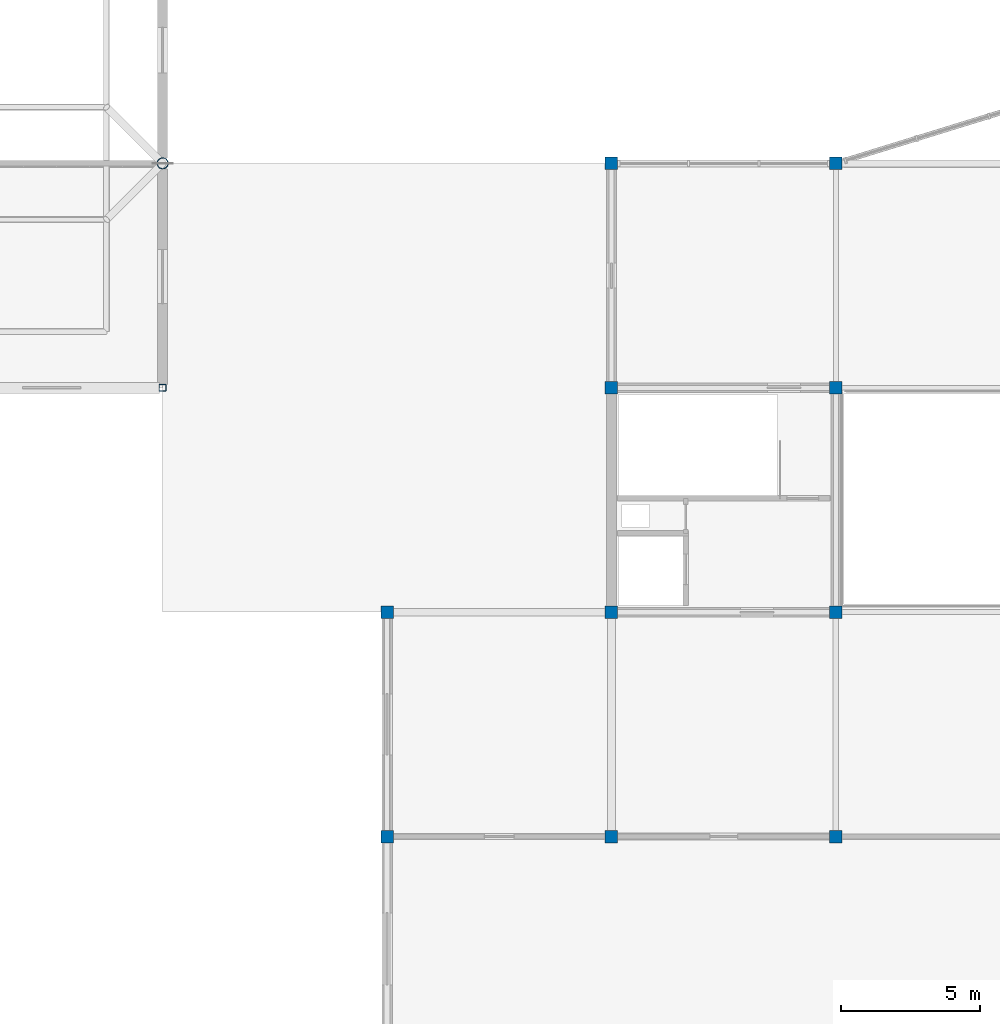
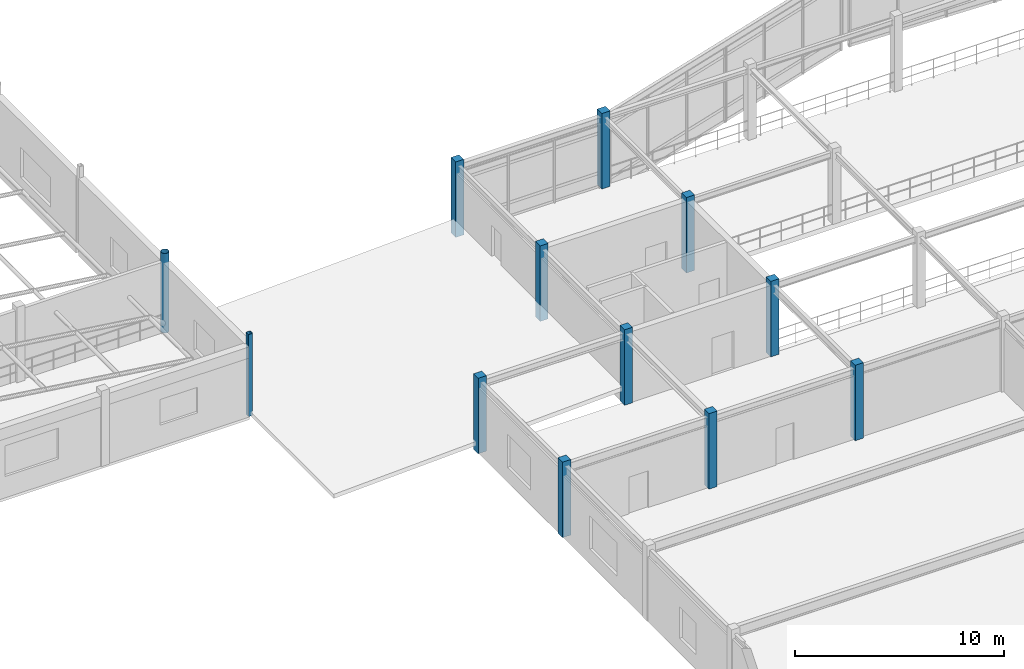
# One storey, part 3 of 89: 12 columns.
"""IFC4 building model written with IfcOpenShell, lengths in metres."""

from ifc_helpers import new_model, si_unit, direction, frame, origin, origin_2d, place, context, subcontext, project, spatial, rectangle, hollow_rectangle, hollow_circle, extrude, material, material_profile, profile_set, type_object, element, save


model = new_model("IFC4")

# Units and contexts
model_context = context("Model", 3, precision=1e-05, world=origin(), true_north=direction((0.0, 1.0)))
body_context = subcontext(model_context, "Body", "Model", "MODEL_VIEW")
ifc_project = project(units=[si_unit("LENGTHUNIT", "METRE"), si_unit("AREAUNIT", "SQUARE_METRE"), si_unit("VOLUMEUNIT", "CUBIC_METRE"), si_unit("PLANEANGLEUNIT", "RADIAN"), si_unit("MASSUNIT", "GRAM", prefix="KILO")], contexts=[model_context])

# Site, building, storey
site_placement = place(None, origin())
site = spatial("IfcSite", under=ifc_project, at=site_placement, CompositionType="ELEMENT")
building_placement = place(site_placement, origin())
building = spatial("IfcBuilding", under=site, at=building_placement, Name="Vaudrelin Polytechnic", CompositionType="ELEMENT")
storey_placement = place(building_placement, frame((0.0, 0.0, 9.68994140625)))
storey = spatial("IfcBuildingStorey", under=building, at=storey_placement, Name="L02", CompositionType="ELEMENT", Elevation=9.68994140625)

# Columns
ifc_material_1 = material(Name="Steel CSA G40.21 350W", Category="steel")
ifc_material_profile_1 = material_profile(ifc_material_1, hollow_rectangle(XDim=0.25390625, YDim=0.25390625, WallThickness=0.0126953125, InnerFilletRadius=0.0126953125, OuterFilletRadius=0.025390625, at=origin_2d()), Name="HSS254x254x12.7")
ifc_profile_set_1 = profile_set([ifc_material_profile_1], Name="Steel CSA G40.21 350W")
column_type_1 = type_object("IfcColumnType", Name="COL-C-HSS254", PredefinedType="COLUMN", material=ifc_profile_set_1)
column_1_placement = place(storey_placement, frame((32.39990234375, 40.5, 0.0), z_axis=(0.0, 0.0, 1.0), x_axis=(1.0, 0.0, 0.0)))
element("IfcColumn", 1, at=column_1_placement, inside=storey, type_object=column_type_1, Name="Workshop roof perimeter post 4-5", PredefinedType="COLUMN", context=body_context, shape_type="SweptSolid", body=[
    extrude(hollow_rectangle(XDim=0.25390625, YDim=0.25390625, WallThickness=0.0126953125, InnerFilletRadius=0.0126953125, OuterFilletRadius=0.025390625, at=origin_2d()), origin(), (0.0, 0.0, 1.0), 4.800048828125),
])
ifc_material_2 = material(Name="Concrete 40 MPa", Category="concrete")
ifc_material_profile_2 = material_profile(ifc_material_2, rectangle(XDim=0.449951171875, YDim=0.449951171875, at=origin_2d()), Name="RC450x450")
ifc_profile_set_2 = profile_set([ifc_material_profile_2], Name="Concrete 40 MPa")
column_type_2 = type_object("IfcColumnType", Name="COL-C-RC450", PredefinedType="COLUMN", material=ifc_profile_set_2)
for number, where, z_axis, x_axis, name in (
    (2, (40.5, 24.300048828125, 0.0), (0.0, 0.0, 1.0), (1.0, 0.0, 0.0), "Column L02 6-4"),
    (3, (40.5, 32.39990234375, 0.0), (0.0, 0.0, 1.0), (1.0, 0.0, 0.0), "Column L02 6-5"),
    (4, (48.60009765625, 24.300048828125, 0.0), (0.0, 0.0, 1.0), (1.0, 0.0, 0.0), "Column L02 7-4"),
    (5, (48.60009765625, 32.39990234375, 0.0), (0.0, 0.0, 1.0), (1.0, 0.0, 0.0), "Column L02 7-5"),
    (6, (48.60009765625, 40.5, 0.0), (0.0, 0.0, 1.0), (1.0, 0.0, 0.0), "Column L02 7-6"),
    (7, (48.60009765625, 48.60009765625, 0.0), (0.0, 0.0, 1.0), (1.0, 0.0, 0.0), "Column L02 7-7"),
    (8, (56.699951171875, 24.300048828125, 0.0), (0.0, 0.0, 1.0), (1.0, 0.0, 0.0), "Column L02 8-4"),
    (9, (56.699951171875, 32.39990234375, 0.0), (0.0, 0.0, 1.0), (1.0, 0.0, 0.0), "Column L02 8-5"),
    (10, (56.699951171875, 40.5, 0.0), (0.0, 0.0, 1.0), (1.0, 0.0, 0.0), "Column L02 8-6"),
    (11, (56.699951171875, 48.60009765625, 0.0), (0.0, 0.0, 1.0), (1.0, 0.0, 0.0), "Column L02 8-7"),
):
    element("IfcColumn", number, at=place(storey_placement, frame(where, z_axis=z_axis, x_axis=x_axis)), inside=storey, type_object=column_type_2, Name=name, PredefinedType="COLUMN", context=body_context, shape_type="SweptSolid", body=[
        extrude(rectangle(XDim=0.449951171875, YDim=0.449951171875, at=origin_2d()), origin(), (0.0, 0.0, 1.0), 4.420166015625),
    ])
ifc_material_3 = material(Name="Steel CSA G40.21 350WT", Category="steel")
ifc_material_profile_3 = material_profile(ifc_material_3, hollow_circle(Radius=0.203125, WallThickness=0.015869140625, at=origin_2d()), Name="CHS406.4x15.9")
ifc_profile_set_3 = profile_set([ifc_material_profile_3], Name="Steel CSA G40.21 350WT")
column_type_3 = type_object("IfcColumnType", Name="COL-C-TR406", PredefinedType="COLUMN", material=ifc_profile_set_3)
column_2_placement = place(storey_placement, frame((32.39990234375, 48.60009765625, 0.0), z_axis=(0.0, 0.0, 1.0), x_axis=(1.0, 0.0, 0.0)))
element("IfcColumn", 12, at=column_2_placement, inside=storey, type_object=column_type_3, Name="Space frame expressed tree stem 4", PredefinedType="COLUMN", context=body_context, shape_type="SweptSolid", body=[
    extrude(hollow_circle(Radius=0.203125, WallThickness=0.015869140625, at=origin_2d()), origin(), (0.0, 0.0, 1.0), 4.66015625),
])

save(model, "model.ifc")
